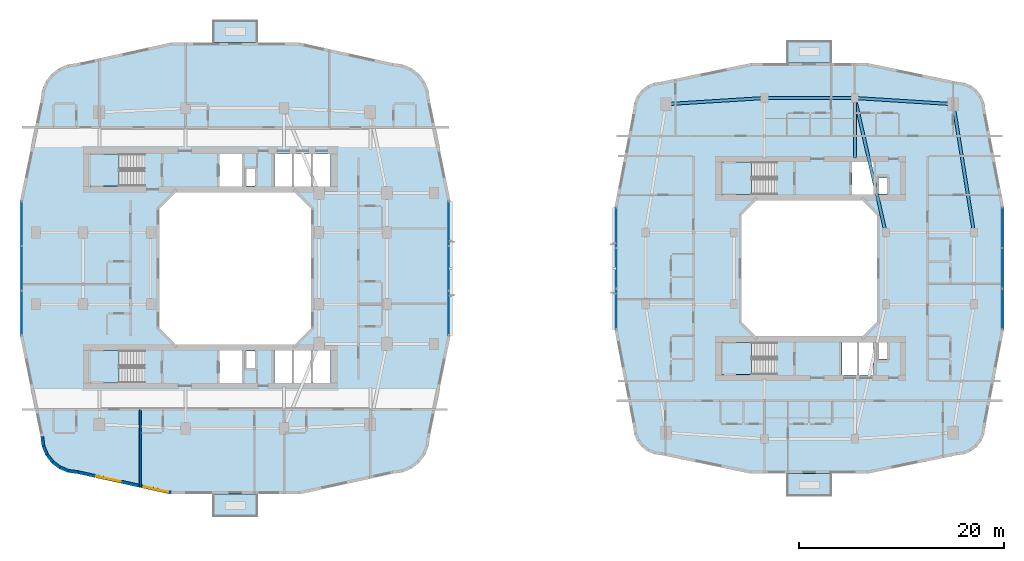
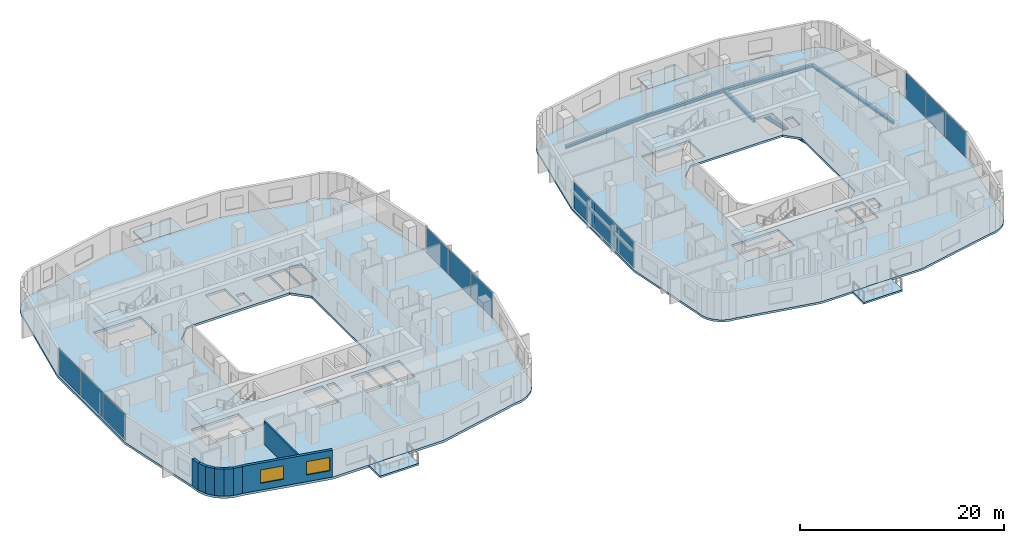
# One storey, part 7 of 22: 12 plates, 10 slabs, 8 walls, 6 beams, 2 windows, 2 openings, 8 elements without a shape of their own.
"""IFC4 building model written with IfcOpenShell, lengths in metres."""

from ifc_helpers import new_model, si_unit, derived_unit, direction, frame, frame_2d, origin, origin_2d, place, context, subcontext, project, spatial, polyline, rectangle, i_section, outline, extrude, material, layer, layer_set, material_profile, profile_set, type_object, element, fill, aggregate, save


model = new_model("IFC4")

# Units and contexts
model_context = context("Model", 3, precision=1e-05, world=origin(), true_north=direction((0.0, 1.0)))
body_context = subcontext(model_context, "Body", "Model", "MODEL_VIEW")
ifc_project = project(units=[si_unit("LENGTHUNIT", "METRE"), si_unit("AREAUNIT", "SQUARE_METRE"), si_unit("VOLUMEUNIT", "CUBIC_METRE"), si_unit("PLANEANGLEUNIT", "RADIAN"), si_unit("MASSUNIT", "GRAM", prefix="KILO"), derived_unit("THERMALTRANSMITTANCEUNIT", [(si_unit("POWERUNIT", "WATT"), 1), (si_unit("LENGTHUNIT", "METRE"), -2), (si_unit("THERMODYNAMICTEMPERATUREUNIT", "KELVIN"), -1)])], contexts=[model_context])

# Site, building, storey
site_placement = place(None, origin())
site = spatial("IfcSite", under=ifc_project, at=site_placement, CompositionType="ELEMENT")
building_placement = place(site_placement, origin())
building = spatial("IfcBuilding", under=site, at=building_placement, Name="Kivonza Crest Hotel", CompositionType="ELEMENT")
storey_placement = place(building_placement, frame((0.0, 0.0, 48.5)))
storey = spatial("IfcBuildingStorey", under=building, at=storey_placement, Name="L12", CompositionType="ELEMENT", Elevation=48.5)

# Beams
ifc_material_1 = material(Name="Steel S355", Category="steel")
ifc_material_profile_1 = material_profile(ifc_material_1, i_section(OverallWidth=0.300048828125, OverallDepth=0.360107421875, WebThickness=0.012451171875, FlangeThickness=0.0224609375, FilletRadius=0.027099609375, at=origin_2d()), Name="HEB 360")
ifc_profile_set_1 = profile_set([ifc_material_profile_1], Name="Steel S355")
beam_type_1 = type_object("IfcBeamType", Name="BM-HEB360", PredefinedType="SPANDREL", material=ifc_profile_set_1)
beam_1_placement = place(storey_placement, frame((93.0, 28.5, -0.429931640625), z_axis=(-0.157990501107, 0.987440631917, 0.0), x_axis=(-0.987440631917, -0.157990501107, 0.0)))
element("IfcBeam", 1, at=beam_1_placement, inside=storey, type_object=beam_type_1, Name="Companion Tower T2 L12 perimeter spandrel E2-NE", PredefinedType="SPANDREL", context=body_context, shape_type="SweptSolid", body=[
    extrude(i_section(OverallWidth=0.300048828125, OverallDepth=0.360107421875, WebThickness=0.012451171875, FlangeThickness=0.0224609375, FilletRadius=0.027099609375, at=origin_2d()), origin(), (0.0, 0.0, 1.0), 12.658935546875),
])
beam_2_placement = place(storey_placement, frame((91.0, 41.0, -0.429931640625), z_axis=(-0.998051985873, 0.062387767186, 0.0), x_axis=(-0.062387767186, -0.998051985873, 0.0)))
element("IfcBeam", 2, at=beam_2_placement, inside=storey, type_object=beam_type_1, Name="Companion Tower T2 L12 perimeter spandrel NE-N2", PredefinedType="SPANDREL", context=body_context, shape_type="SweptSolid", body=[
    extrude(i_section(OverallWidth=0.300048828125, OverallDepth=0.360107421875, WebThickness=0.012451171875, FlangeThickness=0.0224609375, FilletRadius=0.027099609375, at=origin_2d()), origin(), (0.0, 0.0, 1.0), 9.618896484375),
])
beam_3_placement = place(storey_placement, frame((81.39990234375, 41.60009765625, -0.429931640625), z_axis=(-1.0, 0.0, 0.0), x_axis=(0.0, -1.0, 0.0)))
element("IfcBeam", 3, at=beam_3_placement, inside=storey, type_object=beam_type_1, Name="Companion Tower T2 L12 perimeter spandrel N2-N1", PredefinedType="SPANDREL", context=body_context, shape_type="SweptSolid", body=[
    extrude(i_section(OverallWidth=0.300048828125, OverallDepth=0.360107421875, WebThickness=0.012451171875, FlangeThickness=0.0224609375, FilletRadius=0.027099609375, at=origin_2d()), origin(), (0.0, 0.0, 1.0), 8.7998046875),
])
beam_4_placement = place(storey_placement, frame((72.60009765625, 41.60009765625, -0.429931640625), z_axis=(-0.998051985873, -0.062387767186, 0.0), x_axis=(0.062387767186, -0.998051985873, 0.0)))
element("IfcBeam", 4, at=beam_4_placement, inside=storey, type_object=beam_type_1, Name="Companion Tower T2 L12 perimeter spandrel N1-NW", PredefinedType="SPANDREL", context=body_context, shape_type="SweptSolid", body=[
    extrude(i_section(OverallWidth=0.300048828125, OverallDepth=0.360107421875, WebThickness=0.012451171875, FlangeThickness=0.0224609375, FilletRadius=0.027099609375, at=origin_2d()), origin(), (0.0, 0.0, 1.0), 9.618896484375),
])
ifc_material_profile_2 = material_profile(ifc_material_1, i_section(OverallWidth=0.300048828125, OverallDepth=0.5, WebThickness=0.014404296875, FlangeThickness=0.028076171875, FilletRadius=0.027099609375, at=origin_2d()), Name="HEB 500")
ifc_profile_set_2 = profile_set([ifc_material_profile_2], Name="Steel S355")
beam_type_2 = type_object("IfcBeamType", Name="BM-HEB500", PredefinedType="BEAM", material=ifc_profile_set_2)
beam_5_placement = place(storey_placement, frame((84.39990234375, 28.5, -0.5), z_axis=(-0.223227287589, 0.974766422317, 0.0), x_axis=(-0.974766422317, -0.223227287589, 0.0)))
element("IfcBeam", 5, at=beam_5_placement, inside=storey, type_object=beam_type_2, Name="Companion Tower T2 L12 girder WR2-N2", PredefinedType="BEAM", context=body_context, shape_type="SweptSolid", body=[
    extrude(i_section(OverallWidth=0.300048828125, OverallDepth=0.5, WebThickness=0.014404296875, FlangeThickness=0.028076171875, FilletRadius=0.027099609375, at=origin_2d()), origin(), (0.0, 0.0, 1.0), 13.439208984375),
])
beam_6_placement = place(storey_placement, frame((81.39990234375, 41.60009765625, -0.5), z_axis=(0.0, -1.0, 0.0), x_axis=(1.0, 0.0, 0.0)))
element("IfcBeam", 6, at=beam_6_placement, inside=storey, type_object=beam_type_2, Name="Companion T2 L12 radial core girder RN2", PredefinedType="BEAM", context=body_context, shape_type="SweptSolid", body=[
    extrude(i_section(OverallWidth=0.300048828125, OverallDepth=0.5, WebThickness=0.014404296875, FlangeThickness=0.028076171875, FilletRadius=0.027099609375, at=origin_2d()), origin(), (0.0, 0.0, 1.0), 5.85009765625),
])

# Curtain wall, plates
ifc_material_2 = material(Name="Anodised bronze aluminium and low-E double glazing", Category="aluminium")
ifc_layer_1 = layer(ifc_material_2, 0.179931640625)
ifc_layer_set_1 = layer_set([ifc_layer_1], Name="Anodised bronze aluminium and low-E double glazing")
curtain_wall_type_1 = type_object("IfcCurtainWallType", Name="CW-SYS-2", PredefinedType="NOTDEFINED", material=ifc_layer_set_1)
curtain_wall_1_placement = place(storey_placement, origin())
curtain_wall_1 = element("IfcCurtainWall", 7, at=curtain_wall_1_placement, inside=storey, type_object=curtain_wall_type_1, Name="L12 unitised curtain wall CW-T1-L12-17", PredefinedType="NOTDEFINED")
ifc_material_3 = material(Name="Solar-control low-E double glazing", Category="glass")
ifc_layer_2 = layer(ifc_material_3, 0.028076171875)
ifc_layer_set_2 = layer_set([ifc_layer_2], Name="Solar-control low-E double glazing")
plate_type = type_object("IfcPlateType", Name="CW-PNL-28", PredefinedType="CURTAIN_PANEL", material=ifc_layer_set_2)
plate_1_placement = place(storey_placement, frame((41.840087890625, 20.642822265625, 0.06494140625), z_axis=(0.0, 0.0, 1.0), x_axis=(0.0, 1.0, 0.0)))
plate_1 = element("IfcPlate", 8, at=plate_1_placement, type_object=plate_type, Name="CW-2 panel 1.1", PredefinedType="CURTAIN_PANEL", context=body_context, shape_type="SweptSolid", body=[
    extrude(rectangle(XDim=4.27587890625, YDim=0.028076171875, at=origin_2d()), origin(), (0.0, 0.0, 1.0), 3.090087890625),
])
plate_2_placement = place(storey_placement, frame((41.840087890625, 25.0, 0.06494140625), z_axis=(0.0, 0.0, 1.0), x_axis=(0.0, 1.0, 0.0)))
plate_2 = element("IfcPlate", 9, at=plate_2_placement, type_object=plate_type, Name="CW-2 panel 2.1", PredefinedType="CURTAIN_PANEL", context=body_context, shape_type="SweptSolid", body=[
    extrude(rectangle(XDim=4.308349609375, YDim=0.028076171875, at=origin_2d()), origin(), (0.0, 0.0, 1.0), 3.090087890625),
])
plate_3_placement = place(storey_placement, frame((41.840087890625, 29.357177734375, 0.06494140625), z_axis=(0.0, 0.0, 1.0), x_axis=(0.0, 1.0, 0.0)))
plate_3 = element("IfcPlate", 10, at=plate_3_placement, type_object=plate_type, Name="CW-2 panel 3.1", PredefinedType="CURTAIN_PANEL", context=body_context, shape_type="SweptSolid", body=[
    extrude(rectangle(XDim=4.27587890625, YDim=0.028076171875, at=origin_2d()), origin(), (0.0, 0.0, 1.0), 3.090087890625),
])
aggregate(curtain_wall_1, [plate_1, plate_2, plate_3])

curtain_wall_2_placement = place(storey_placement, origin())
curtain_wall_2 = element("IfcCurtainWall", 11, at=curtain_wall_2_placement, inside=storey, type_object=curtain_wall_type_1, Name="L12 unitised curtain wall CW-T1-L12-35", PredefinedType="NOTDEFINED")
plate_4_placement = place(storey_placement, frame((0.239990234375, 29.357177734375, 0.06494140625), z_axis=(0.0, 0.0, 1.0), x_axis=(0.0, -1.0, 0.0)))
plate_4 = element("IfcPlate", 12, at=plate_4_placement, type_object=plate_type, Name="CW-2 panel 1.1", PredefinedType="CURTAIN_PANEL", context=body_context, shape_type="SweptSolid", body=[
    extrude(rectangle(XDim=4.27587890625, YDim=0.028076171875, at=origin_2d()), origin(), (0.0, 0.0, 1.0), 3.090087890625),
])
plate_5_placement = place(storey_placement, frame((0.239990234375, 25.0, 0.06494140625), z_axis=(0.0, 0.0, 1.0), x_axis=(0.0, -1.0, 0.0)))
plate_5 = element("IfcPlate", 13, at=plate_5_placement, type_object=plate_type, Name="CW-2 panel 2.1", PredefinedType="CURTAIN_PANEL", context=body_context, shape_type="SweptSolid", body=[
    extrude(rectangle(XDim=4.308349609375, YDim=0.028076171875, at=origin_2d()), origin(), (0.0, 0.0, 1.0), 3.090087890625),
])
plate_6_placement = place(storey_placement, frame((0.239990234375, 20.642822265625, 0.06494140625), z_axis=(0.0, 0.0, 1.0), x_axis=(0.0, -1.0, 0.0)))
plate_6 = element("IfcPlate", 14, at=plate_6_placement, type_object=plate_type, Name="CW-2 panel 3.1", PredefinedType="CURTAIN_PANEL", context=body_context, shape_type="SweptSolid", body=[
    extrude(rectangle(XDim=4.27587890625, YDim=0.028076171875, at=origin_2d()), origin(), (0.0, 0.0, 1.0), 3.090087890625),
])
aggregate(curtain_wall_2, [plate_4, plate_5, plate_6])

ifc_layer_3 = layer(ifc_material_2, 0.179931640625)
ifc_layer_set_3 = layer_set([ifc_layer_3], Name="Anodised bronze aluminium and low-E double glazing")
curtain_wall_type_2 = type_object("IfcCurtainWallType", Name="CW-SYS-4", PredefinedType="NOTDEFINED", material=ifc_layer_set_3)
curtain_wall_3_placement = place(storey_placement, origin())
curtain_wall_3 = element("IfcCurtainWall", 15, at=curtain_wall_3_placement, inside=storey, type_object=curtain_wall_type_2, Name="L12 unitised curtain wall CW-T2-L12-17", PredefinedType="NOTDEFINED")
plate_7_placement = place(storey_placement, frame((95.760009765625, 21.04296875, 0.06494140625), z_axis=(0.0, 0.0, 1.0), x_axis=(0.0, 1.0, 0.0)))
plate_7 = element("IfcPlate", 16, at=plate_7_placement, type_object=plate_type, Name="CW-4 panel 1.1", PredefinedType="CURTAIN_PANEL", context=body_context, shape_type="SweptSolid", body=[
    extrude(rectangle(XDim=3.875732421875, YDim=0.028076171875, at=origin_2d()), origin(), (0.0, 0.0, 1.0), 3.1201171875),
])
plate_8_placement = place(storey_placement, frame((95.760009765625, 25.0, 0.06494140625), z_axis=(0.0, 0.0, 1.0), x_axis=(0.0, 1.0, 0.0)))
plate_8 = element("IfcPlate", 17, at=plate_8_placement, type_object=plate_type, Name="CW-4 panel 2.1", PredefinedType="CURTAIN_PANEL", context=body_context, shape_type="SweptSolid", body=[
    extrude(rectangle(XDim=3.908447265625, YDim=0.028076171875, at=origin_2d()), origin(), (0.0, 0.0, 1.0), 3.1201171875),
])
plate_9_placement = place(storey_placement, frame((95.760009765625, 28.95703125, 0.06494140625), z_axis=(0.0, 0.0, 1.0), x_axis=(0.0, 1.0, 0.0)))
plate_9 = element("IfcPlate", 18, at=plate_9_placement, type_object=plate_type, Name="CW-4 panel 3.1", PredefinedType="CURTAIN_PANEL", context=body_context, shape_type="SweptSolid", body=[
    extrude(rectangle(XDim=3.875732421875, YDim=0.028076171875, at=origin_2d()), origin(), (0.0, 0.0, 1.0), 3.1201171875),
])
aggregate(curtain_wall_3, [plate_7, plate_8, plate_9])

curtain_wall_4_placement = place(storey_placement, origin())
curtain_wall_4 = element("IfcCurtainWall", 19, at=curtain_wall_4_placement, inside=storey, type_object=curtain_wall_type_2, Name="L12 unitised curtain wall CW-T2-L12-35", PredefinedType="NOTDEFINED")
plate_10_placement = place(storey_placement, frame((58.159912109375, 28.95703125, 0.06494140625), z_axis=(0.0, 0.0, 1.0), x_axis=(0.0, -1.0, 0.0)))
plate_10 = element("IfcPlate", 20, at=plate_10_placement, type_object=plate_type, Name="CW-4 panel 1.1", PredefinedType="CURTAIN_PANEL", context=body_context, shape_type="SweptSolid", body=[
    extrude(rectangle(XDim=3.875732421875, YDim=0.028076171875, at=origin_2d()), origin(), (0.0, 0.0, 1.0), 3.1201171875),
])
plate_11_placement = place(storey_placement, frame((58.159912109375, 25.0, 0.06494140625), z_axis=(0.0, 0.0, 1.0), x_axis=(0.0, -1.0, 0.0)))
plate_11 = element("IfcPlate", 21, at=plate_11_placement, type_object=plate_type, Name="CW-4 panel 2.1", PredefinedType="CURTAIN_PANEL", context=body_context, shape_type="SweptSolid", body=[
    extrude(rectangle(XDim=3.908447265625, YDim=0.028076171875, at=origin_2d()), origin(), (0.0, 0.0, 1.0), 3.1201171875),
])
plate_12_placement = place(storey_placement, frame((58.159912109375, 21.04296875, 0.06494140625), z_axis=(0.0, 0.0, 1.0), x_axis=(0.0, -1.0, 0.0)))
plate_12 = element("IfcPlate", 22, at=plate_12_placement, type_object=plate_type, Name="CW-4 panel 3.1", PredefinedType="CURTAIN_PANEL", context=body_context, shape_type="SweptSolid", body=[
    extrude(rectangle(XDim=3.875732421875, YDim=0.028076171875, at=origin_2d()), origin(), (0.0, 0.0, 1.0), 3.1201171875),
])
aggregate(curtain_wall_4, [plate_10, plate_11, plate_12])

# Slab
ifc_material_4 = material(Name="Concrete C40/50", Category="concrete")
ifc_layer_4 = layer(ifc_material_4, 0.280029296875)
ifc_layer_set_4 = layer_set([ifc_layer_4], Name="Concrete C40/50")
slab_type_1 = type_object("IfcSlabType", Name="SL-HTL-280", PredefinedType="FLOOR", material=ifc_layer_set_4)
slab_1_placement = place(storey_placement, frame((0.0, 0.0, -0.280029296875)))
element("IfcSlab", 23, at=slab_1_placement, inside=storey, type_object=slab_type_1, Name="Tower T1 L12 floor slab", PredefinedType="FLOOR", context=body_context, shape_type="SweptSolid", body=[
    extrude(outline(polyline([(2.080078125, 8.60009765625), (2.202880859375, 7.66796875), (2.56201171875, 6.800048828125), (3.134033203125, 6.053955078125), (3.8798828125, 5.48193359375), (4.748046875, 5.123046875), (5.679931640625, 5.0), (14.751953125, 3.0), (27.327880859375, 3.0), (36.39990234375, 5.0), (37.33203125, 5.123046875), (38.199951171875, 5.48193359375), (38.946044921875, 6.053955078125), (39.51806640625, 6.800048828125), (39.876953125, 7.66796875), (40.0, 8.60009765625), (42.0, 18.39990234375), (42.0, 31.60009765625), (40.0, 41.39990234375), (39.876953125, 42.33203125), (39.51806640625, 43.199951171875), (38.946044921875, 43.946044921875), (38.199951171875, 44.51806640625), (37.33203125, 44.876953125), (36.39990234375, 45.0), (27.327880859375, 47.0), (14.751953125, 47.0), (5.679931640625, 45.0), (4.748046875, 44.876953125), (3.8798828125, 44.51806640625), (3.134033203125, 43.946044921875), (2.56201171875, 43.199951171875), (2.202880859375, 42.33203125), (2.080078125, 41.39990234375), (0.080078125, 31.60009765625), (0.080078125, 18.39990234375), (2.080078125, 8.60009765625)]), holes=[polyline([(15.239990234375, 17.60009765625), (26.840087890625, 17.60009765625), (28.43994140625, 19.199951171875), (28.43994140625, 30.800048828125), (26.840087890625, 32.39990234375), (15.239990234375, 32.39990234375), (13.639892578125, 30.800048828125), (13.639892578125, 19.199951171875), (15.239990234375, 17.60009765625)]), polyline([(6.800048828125, 33.02001953125), (12.159912109375, 33.02001953125), (12.159912109375, 36.159912109375), (6.800048828125, 36.159912109375), (6.800048828125, 33.02001953125)]), polyline([(6.800048828125, 13.860107421875), (12.159912109375, 13.860107421875), (12.159912109375, 17.0), (6.800048828125, 17.0), (6.800048828125, 13.860107421875)]), polyline([(22.080078125, 33.0400390625), (22.969970703125, 33.0400390625), (22.969970703125, 34.679931640625), (22.080078125, 34.679931640625), (22.080078125, 33.0400390625)]), polyline([(22.080078125, 15.320068359375), (22.969970703125, 15.320068359375), (22.969970703125, 16.9599609375), (22.080078125, 16.9599609375), (22.080078125, 15.320068359375)]), polyline([(19.5, 33.0), (21.699951171875, 33.0), (21.699951171875, 36.159912109375), (19.5, 36.159912109375), (19.5, 33.0)]), polyline([(24.860107421875, 33.0), (26.60693359375, 33.0), (26.60693359375, 36.159912109375), (24.860107421875, 36.159912109375), (24.860107421875, 33.0)]), polyline([(26.72705078125, 33.0), (28.472900390625, 33.0), (28.472900390625, 36.159912109375), (26.72705078125, 36.159912109375), (26.72705078125, 33.0)]), polyline([(28.593017578125, 33.0), (30.340087890625, 33.0), (30.340087890625, 36.159912109375), (28.593017578125, 36.159912109375), (28.593017578125, 33.0)]), polyline([(19.5, 13.840087890625), (21.699951171875, 13.840087890625), (21.699951171875, 17.0), (19.5, 17.0), (19.5, 13.840087890625)]), polyline([(24.860107421875, 13.840087890625), (26.60693359375, 13.840087890625), (26.60693359375, 17.0), (24.860107421875, 17.0), (24.860107421875, 13.840087890625)]), polyline([(26.72705078125, 13.840087890625), (28.472900390625, 13.840087890625), (28.472900390625, 17.0), (26.72705078125, 17.0), (26.72705078125, 13.840087890625)]), polyline([(28.593017578125, 13.840087890625), (30.340087890625, 13.840087890625), (30.340087890625, 17.0), (28.593017578125, 17.0), (28.593017578125, 13.840087890625)])]), origin(), (0.0, 0.0, 1.0), 0.280029296875),
])

# Stair, slab
stair_type = type_object("IfcStairType", Name="ST-DL-20R", PredefinedType="HALF_TURN_STAIR", material=ifc_material_4)
stair_1_placement = place(storey_placement, origin())
stair_1 = element("IfcStair", 24, at=stair_1_placement, inside=storey, type_object=stair_type, Name="L12 Protected Exit Stair ST-T1-N", PredefinedType="HALF_TURN_STAIR")
ifc_layer_5 = layer(ifc_material_4, 0.199951171875)
ifc_layer_set_5 = layer_set([ifc_layer_5], Name="Concrete C40/50")
slab_type_2 = type_object("IfcSlabType", Name="SL-LAND-200", PredefinedType="LANDING", material=ifc_layer_set_5)
slab_2_placement = place(storey_placement, frame((0.0, 0.0, 1.550048828125)))
slab_2 = element("IfcSlab", 25, at=slab_2_placement, type_object=slab_type_2, Name="ST-T1-N landing 1", PredefinedType="LANDING", context=body_context, shape_type="SweptSolid", body=[
    extrude(outline(polyline([(9.719970703125, 36.159912109375), (6.800048828125, 36.159912109375), (6.800048828125, 33.02001953125), (9.719970703125, 33.02001953125), (9.719970703125, 36.159912109375)])), origin(), (0.0, 0.0, 1.0), 0.199951171875),
])
aggregate(stair_1, [slab_2])

stair_2_placement = place(storey_placement, origin())
stair_2 = element("IfcStair", 26, at=stair_2_placement, inside=storey, type_object=stair_type, Name="L12 Protected Exit Stair ST-T1-S", PredefinedType="HALF_TURN_STAIR")
slab_3_placement = place(storey_placement, frame((0.0, 0.0, 1.550048828125)))
slab_3 = element("IfcSlab", 27, at=slab_3_placement, type_object=slab_type_2, Name="ST-T1-S landing 1", PredefinedType="LANDING", context=body_context, shape_type="SweptSolid", body=[
    extrude(outline(polyline([(9.719970703125, 17.0), (6.800048828125, 17.0), (6.800048828125, 13.860107421875), (9.719970703125, 13.860107421875), (9.719970703125, 17.0)])), origin(), (0.0, 0.0, 1.0), 0.199951171875),
])
aggregate(stair_2, [slab_3])

stair_3_placement = place(storey_placement, origin())
stair_3 = element("IfcStair", 28, at=stair_3_placement, inside=storey, type_object=stair_type, Name="L12 Protected Exit Stair ST-T2-N", PredefinedType="HALF_TURN_STAIR")
slab_4_placement = place(storey_placement, frame((0.0, 0.0, 1.550048828125)))
slab_4 = element("IfcSlab", 29, at=slab_4_placement, type_object=slab_type_2, Name="ST-T2-N landing 1", PredefinedType="LANDING", context=body_context, shape_type="SweptSolid", body=[
    extrude(outline(polyline([(71.320068359375, 35.360107421875), (68.39990234375, 35.360107421875), (68.39990234375, 32.219970703125), (71.320068359375, 32.219970703125), (71.320068359375, 35.360107421875)])), origin(), (0.0, 0.0, 1.0), 0.199951171875),
])
aggregate(stair_3, [slab_4])

stair_4_placement = place(storey_placement, origin())
stair_4 = element("IfcStair", 30, at=stair_4_placement, inside=storey, type_object=stair_type, Name="L12 Protected Exit Stair ST-T2-S", PredefinedType="HALF_TURN_STAIR")
slab_5_placement = place(storey_placement, frame((0.0, 0.0, 1.550048828125)))
slab_5 = element("IfcSlab", 31, at=slab_5_placement, type_object=slab_type_2, Name="ST-T2-S landing 1", PredefinedType="LANDING", context=body_context, shape_type="SweptSolid", body=[
    extrude(outline(polyline([(71.320068359375, 17.800048828125), (68.39990234375, 17.800048828125), (68.39990234375, 14.659912109375), (71.320068359375, 14.659912109375), (71.320068359375, 17.800048828125)])), origin(), (0.0, 0.0, 1.0), 0.199951171875),
])
aggregate(stair_4, [slab_5])

# Slabs
ifc_layer_6 = layer(ifc_material_4, 0.25)
ifc_layer_set_6 = layer_set([ifc_layer_6], Name="Concrete C40/50")
slab_type_3 = type_object("IfcSlabType", Name="SL-RES-250", PredefinedType="FLOOR", material=ifc_layer_set_6)
slab_6_placement = place(storey_placement, frame((0.0, 0.0, -0.25)))
element("IfcSlab", 32, at=slab_6_placement, inside=storey, type_object=slab_type_3, Name="Companion Tower T2 L12 floor slab", PredefinedType="FLOOR", context=body_context, shape_type="SweptSolid", body=[
    extrude(outline(polyline([(59.800048828125, 9.60009765625), (59.89501953125, 8.875), (60.175048828125, 8.199951171875), (60.6201171875, 7.6201171875), (61.199951171875, 7.175048828125), (61.875, 6.89501953125), (62.60009765625, 6.800048828125), (71.27197265625, 5.0), (82.64794921875, 5.0), (91.320068359375, 6.800048828125), (92.044921875, 6.89501953125), (92.719970703125, 7.175048828125), (93.300048828125, 7.6201171875), (93.7451171875, 8.199951171875), (94.02490234375, 8.875), (94.1201171875, 9.60009765625), (95.919921875, 19.0), (95.919921875, 31.0), (94.1201171875, 40.39990234375), (94.02490234375, 41.125), (93.7451171875, 41.800048828125), (93.300048828125, 42.3798828125), (92.719970703125, 42.824951171875), (92.044921875, 43.10498046875), (91.320068359375, 43.199951171875), (82.64794921875, 45.0), (71.27197265625, 45.0), (62.60009765625, 43.199951171875), (61.875, 43.10498046875), (61.199951171875, 42.824951171875), (60.6201171875, 42.3798828125), (60.175048828125, 41.800048828125), (59.89501953125, 41.125), (59.800048828125, 40.39990234375), (58.0, 31.0), (58.0, 19.0), (59.800048828125, 9.60009765625)]), holes=[polyline([(71.760009765625, 18.39990234375), (82.159912109375, 18.39990234375), (83.56005859375, 19.800048828125), (83.56005859375, 30.199951171875), (82.159912109375, 31.60009765625), (71.760009765625, 31.60009765625), (70.360107421875, 30.199951171875), (70.360107421875, 19.800048828125), (71.760009765625, 18.39990234375)]), polyline([(68.39990234375, 32.219970703125), (73.760009765625, 32.219970703125), (73.760009765625, 35.360107421875), (68.39990234375, 35.360107421875), (68.39990234375, 32.219970703125)]), polyline([(68.39990234375, 14.659912109375), (73.760009765625, 14.659912109375), (73.760009765625, 17.800048828125), (68.39990234375, 17.800048828125), (68.39990234375, 14.659912109375)]), polyline([(83.679931640625, 32.239990234375), (84.570068359375, 32.239990234375), (84.570068359375, 33.820068359375), (83.679931640625, 33.820068359375), (83.679931640625, 32.239990234375)]), polyline([(83.679931640625, 16.179931640625), (84.570068359375, 16.179931640625), (84.570068359375, 17.760009765625), (83.679931640625, 17.760009765625), (83.679931640625, 16.179931640625)]), polyline([(81.10009765625, 32.199951171875), (83.199951171875, 32.199951171875), (83.199951171875, 35.360107421875), (81.10009765625, 35.360107421875), (81.10009765625, 32.199951171875)]), polyline([(80.159912109375, 14.639892578125), (81.639892578125, 14.639892578125), (81.639892578125, 17.800048828125), (80.159912109375, 17.800048828125), (80.159912109375, 14.639892578125)]), polyline([(81.760009765625, 14.639892578125), (83.239990234375, 14.639892578125), (83.239990234375, 17.800048828125), (81.760009765625, 17.800048828125), (81.760009765625, 14.639892578125)])]), origin(), (0.0, 0.0, 1.0), 0.25),
])
ifc_layer_7 = layer(ifc_material_4, 0.219970703125)
ifc_layer_set_7 = layer_set([ifc_layer_7], Name="Concrete C40/50")
slab_type_4 = type_object("IfcSlabType", Name="SL-SKYG-220", PredefinedType="FLOOR", material=ifc_layer_set_7)
slab_7_placement = place(storey_placement, frame((0.0, 0.0, -0.219970703125)))
element("IfcSlab", 33, at=slab_7_placement, inside=storey, type_object=slab_type_4, Name="Tower T1 L12 SW planted sky-garden bridge", PredefinedType="FLOOR", context=body_context, shape_type="SweptSolid", body=[
    extrude(outline(polyline([(18.840087890625, 0.800048828125), (23.239990234375, 0.800048828125), (23.239990234375, 3.0), (18.840087890625, 3.0), (18.840087890625, 0.800048828125)])), origin(), (0.0, 0.0, 1.0), 0.219970703125),
])
slab_8_placement = place(storey_placement, frame((0.0, 0.0, -0.219970703125)))
element("IfcSlab", 34, at=slab_8_placement, inside=storey, type_object=slab_type_4, Name="Tower T1 L12 NE planted sky-garden bridge", PredefinedType="FLOOR", context=body_context, shape_type="SweptSolid", body=[
    extrude(outline(polyline([(18.840087890625, 47.0), (23.239990234375, 47.0), (23.239990234375, 49.199951171875), (18.840087890625, 49.199951171875), (18.840087890625, 47.0)])), origin(), (0.0, 0.0, 1.0), 0.219970703125),
])
slab_9_placement = place(storey_placement, frame((0.0, 0.0, -0.219970703125)))
element("IfcSlab", 35, at=slab_9_placement, inside=storey, type_object=slab_type_4, Name="Companion Tower T2 L12 SW planted sky-garden bridge", PredefinedType="FLOOR", context=body_context, shape_type="SweptSolid", body=[
    extrude(outline(polyline([(74.760009765625, 2.800048828125), (79.159912109375, 2.800048828125), (79.159912109375, 5.0), (74.760009765625, 5.0), (74.760009765625, 2.800048828125)])), origin(), (0.0, 0.0, 1.0), 0.219970703125),
])
slab_10_placement = place(storey_placement, frame((0.0, 0.0, -0.219970703125)))
element("IfcSlab", 36, at=slab_10_placement, inside=storey, type_object=slab_type_4, Name="Companion Tower T2 L12 NE planted sky-garden bridge", PredefinedType="FLOOR", context=body_context, shape_type="SweptSolid", body=[
    extrude(outline(polyline([(74.760009765625, 45.0), (79.159912109375, 45.0), (79.159912109375, 47.199951171875), (74.760009765625, 47.199951171875), (74.760009765625, 45.0)])), origin(), (0.0, 0.0, 1.0), 0.219970703125),
])

# Walls
ifc_material_5 = material(Name="High-density acoustic masonry inter-tenancy wall", Category="masonry")
ifc_layer_8 = layer(ifc_material_5, 0.179931640625)
ifc_layer_set_8 = layer_set([ifc_layer_8], Name="High-density acoustic masonry inter-tenancy wall")
wall_type_1 = type_object("IfcWallType", Name="WL-ACOU-180", PredefinedType="SOLIDWALL", material=ifc_layer_set_8)
wall_1_placement = place(storey_placement, frame((11.800048828125, 3.7119140625, 0.0), z_axis=(0.0, 0.0, 1.0), x_axis=(0.0, 1.0, 0.0)))
element("IfcWall", 37, at=wall_1_placement, inside=storey, type_object=wall_type_1, Name="L12 interior partition WA-L12-T1S-DIV1", PredefinedType="SOLIDWALL", context=body_context, shape_type="SweptSolid", body=[
    extrude(rectangle(XDim=7.5380859375, YDim=0.179931640625, at=frame_2d((3.76904296875, 0.0))), origin(), (0.0, 0.0, 1.0), 2.7451171875),
])
ifc_material_6 = material(Name="Precast concrete C40/50", Category="concrete")
ifc_layer_9 = layer(ifc_material_6, 0.300048828125)
ifc_layer_set_9 = layer_set([ifc_layer_9], Name="Precast concrete C40/50")
wall_type_2 = type_object("IfcWallType", Name="WL-EXT-300", PredefinedType="STANDARD", material=ifc_layer_set_9)
wall_2_placement = place(storey_placement, frame((2.22802734375, 8.6279296875, 0.0), z_axis=(0.0, 0.0, 1.0), x_axis=(0.131174864804, -0.991359246108, 0.0)))
element("IfcWall", 38, at=wall_2_placement, inside=storey, type_object=wall_type_2, Name="L12 T1 exterior insulated wall 1", PredefinedType="STANDARD", context=body_context, shape_type="SweptSolid", body=[
    extrude(rectangle(XDim=0.93798828125, YDim=0.300048828125, at=frame_2d((0.468994140625, 0.0))), origin(), (0.0, 0.0, 1.0), 3.219970703125),
])
wall_3_placement = place(storey_placement, frame((2.33203125, 7.748046875, 0.0), z_axis=(0.0, 0.0, 1.0), x_axis=(0.382344263057, -0.924019948111, 0.0)))
element("IfcWall", 39, at=wall_3_placement, inside=storey, type_object=wall_type_2, Name="L12 T1 exterior insulated wall 2", PredefinedType="STANDARD", context=body_context, shape_type="SweptSolid", body=[
    extrude(rectangle(XDim=0.95458984375, YDim=0.300048828125, at=frame_2d((0.477294921875, 0.0))), origin(), (0.0, 0.0, 1.0), 3.219970703125),
])
for number, where, z_axis, x_axis, name in (
    (40, (2.666015625, 6.910888671875, 0.0), (0.0, 0.0, 1.0), (0.608474481025, -0.793573440799, 0.0), "L12 T1 exterior insulated wall 3"),
    (41, (3.205078125, 6.18798828125, 0.0), (0.0, 0.0, 1.0), (0.793573440799, -0.608474481025, 0.0), "L12 T1 exterior insulated wall 4"),
):
    element("IfcWall", number, at=place(storey_placement, frame(where, z_axis=z_axis, x_axis=x_axis)), inside=storey, type_object=wall_type_2, Name=name, PredefinedType="STANDARD", context=body_context, shape_type="SweptSolid", body=[
        extrude(rectangle(XDim=0.954833984375, YDim=0.300048828125, at=frame_2d((0.4775390625, 0.0))), origin(), (0.0, 0.0, 1.0), 3.219970703125),
    ])
wall_4_placement = place(storey_placement, frame((3.9140625, 5.631103515625, 0.0), z_axis=(0.0, 0.0, 1.0), x_axis=(0.923982547689, -0.382434636986, 0.0)))
element("IfcWall", 42, at=wall_4_placement, inside=storey, type_object=wall_type_2, Name="L12 T1 exterior insulated wall 5", PredefinedType="STANDARD", context=body_context, shape_type="SweptSolid", body=[
    extrude(rectangle(XDim=0.954345703125, YDim=0.300048828125, at=frame_2d((0.47705078125, 0.0))), origin(), (0.0, 0.0, 1.0), 3.219970703125),
])
wall_5_placement = place(storey_placement, frame((4.742919921875, 5.27490234375, 0.0), z_axis=(0.0, 0.0, 1.0), x_axis=(0.99145856342, -0.130422072598, 0.0)))
element("IfcWall", 43, at=wall_5_placement, inside=storey, type_object=wall_type_2, Name="L12 T1 exterior insulated wall 6", PredefinedType="STANDARD", context=body_context, shape_type="SweptSolid", body=[
    extrude(rectangle(XDim=0.973388671875, YDim=0.300048828125, at=frame_2d((0.48681640625, 0.0))), origin(), (0.0, 0.0, 1.0), 3.219970703125),
])

# Wall, openings, windows
wall_6_placement = place(storey_placement, frame((5.7041015625, 5.14794921875, 0.0), z_axis=(0.0, 0.0, 1.0), x_axis=(0.976539545934, -0.215338141596, 0.0)))
wall_6 = element("IfcWall", 44, at=wall_6_placement, inside=storey, type_object=wall_type_2, Name="L12 T1 exterior insulated wall 7", PredefinedType="STANDARD", context=body_context, shape_type="SweptSolid", body=[
    extrude(rectangle(XDim=9.28759765625, YDim=0.300048828125, at=frame_2d((4.643798828125, 0.0))), origin(), (0.0, 0.0, 1.0), 3.219970703125),
])
opening_1_placement = place(wall_6_placement, frame((1.85595703125, 0.0, 0.800048828125)))
opening_1 = element("IfcOpeningElement", 45, at=opening_1_placement, cuts=wall_6, Name="Opening WN-05", PredefinedType="OPENING", context=body_context, shape_type="SweptSolid", body=[
    extrude(rectangle(XDim=2.39990234375, YDim=1.60009765625, at=frame_2d((1.199951171875, 0.800048828125))), frame((0.0, 0.16015625, 0.0), z_axis=(0.0, -1.0, 0.0), x_axis=(1.0, 0.0, 0.0)), (0.0, 0.0, 1.0), 0.320068359375),
])
opening_2_placement = place(wall_6_placement, frame((6.60498046875, 0.0, 0.800048828125)))
opening_2 = element("IfcOpeningElement", 46, at=opening_2_placement, cuts=wall_6, Name="Opening WN-05", PredefinedType="OPENING", context=body_context, shape_type="SweptSolid", body=[
    extrude(rectangle(XDim=2.39990234375, YDim=1.60009765625, at=frame_2d((1.199951171875, 0.800048828125))), frame((0.0, 0.16015625, 0.0), z_axis=(0.0, -1.0, 0.0), x_axis=(1.0, 0.0, 0.0)), (0.0, 0.0, 1.0), 0.320068359375),
])
ifc_material_7 = material(Name="Thermally broken bronze aluminium and low-E double glazing", Category="aluminium")
window_type = type_object("IfcWindowType", Name="WN-240x160", PartitioningType="TRIPLE_PANEL_VERTICAL", PredefinedType="WINDOW", material=ifc_material_7)
window_1_placement = place(opening_1_placement, origin())
window_1 = element("IfcWindow", 47, at=window_1_placement, inside=storey, type_object=window_type, Name="L12 T1 facade window 7 bay 1", OverallHeight=1.60009765625, OverallWidth=2.39990234375, PartitioningType="SINGLE_PANEL", PredefinedType="WINDOW", context=body_context, shape_type="SweptSolid", body=[
    extrude(rectangle(XDim=2.39990234375, YDim=1.60009765625, at=frame_2d((1.199951171875, 0.800048828125))), frame((0.0, 0.030029296875, 0.0), z_axis=(0.0, -1.0, 0.0), x_axis=(1.0, 0.0, 0.0)), (0.0, 0.0, 1.0), 0.06005859375),
])
fill(opening_1, window_1)
window_2_placement = place(opening_2_placement, origin())
window_2 = element("IfcWindow", 48, at=window_2_placement, inside=storey, type_object=window_type, Name="L12 T1 facade window 7 bay 2", OverallHeight=1.60009765625, OverallWidth=2.39990234375, PartitioningType="SINGLE_PANEL", PredefinedType="WINDOW", context=body_context, shape_type="SweptSolid", body=[
    extrude(rectangle(XDim=2.39990234375, YDim=1.60009765625, at=frame_2d((1.199951171875, 0.800048828125))), frame((0.0, 0.030029296875, 0.0), z_axis=(0.0, -1.0, 0.0), x_axis=(1.0, 0.0, 0.0)), (0.0, 0.0, 1.0), 0.06005859375),
])
fill(opening_2, window_2)

save(model, "model.ifc")
